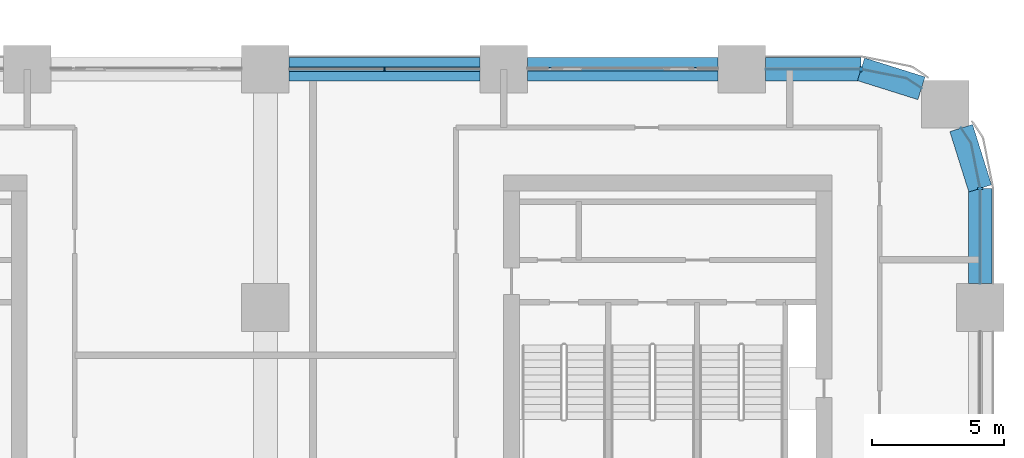
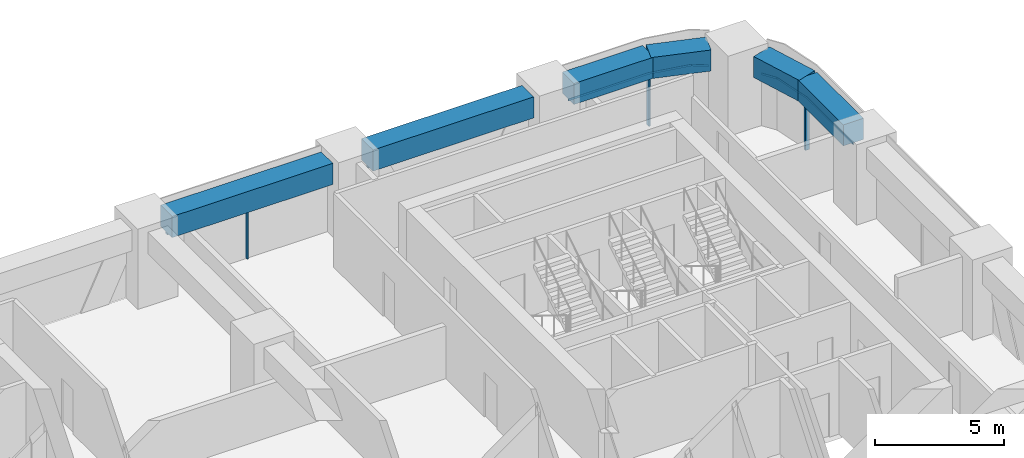
# One storey, part 9 of 23: 7 members, 6 beams, 4 elements without a shape of their own.
"""IFC4 building model written with IfcOpenShell, lengths in metres."""

from ifc_helpers import new_model, si_unit, direction, frame, origin, origin_2d, place, context, subcontext, project, spatial, polyline, rectangle, outline, extrude, material, material_profile, profile_set, type_object, element, aggregate, save


model = new_model("IFC4")

# Units and contexts
model_context = context("Model", 3, precision=1e-05, world=origin(), true_north=direction((0.0, 1.0)))
body_context = subcontext(model_context, "Body", "Model", "MODEL_VIEW")
ifc_project = project(units=[si_unit("LENGTHUNIT", "METRE"), si_unit("AREAUNIT", "SQUARE_METRE"), si_unit("VOLUMEUNIT", "CUBIC_METRE"), si_unit("PLANEANGLEUNIT", "RADIAN"), si_unit("MASSUNIT", "GRAM", prefix="KILO")], contexts=[model_context])

# Site, building, storey
site_placement = place(None, origin())
site = spatial("IfcSite", under=ifc_project, at=site_placement, CompositionType="ELEMENT")
building_placement = place(site_placement, origin())
building = spatial("IfcBuilding", under=site, at=building_placement, Name="Tessera Arch", CompositionType="ELEMENT")
storey_placement = place(building_placement, frame((0.0, 0.0, 57.60009765625)))
storey = spatial("IfcBuildingStorey", under=building, at=storey_placement, Name="L12", CompositionType="ELEMENT", Elevation=57.60009765625)

# Curtain wall, members
ifc_material_1 = material(Name="CW1 curtain wall")
curtain_wall_type_1 = type_object("IfcCurtainWallType", Name="CW1 curtain wall", PredefinedType="NOTDEFINED", material=ifc_material_1)
curtain_wall_1_placement = place(storey_placement, origin())
curtain_wall_1 = element("IfcCurtainWall", 1, at=curtain_wall_1_placement, inside=storey, type_object=curtain_wall_type_1, Name="CW1 curtain wall N54.0/2 L12", PredefinedType="NOTDEFINED")
ifc_material_2 = material(Name="Anodised aluminium pale metal", Category="aluminium")
ifc_material_profile_1 = material_profile(ifc_material_2, rectangle(XDim=0.159912109375, YDim=0.06005859375, at=origin_2d()), Name="AL 60x160")
ifc_profile_set_1 = profile_set([ifc_material_profile_1], Name="Anodised aluminium pale metal")
member_type_1 = type_object("IfcMemberType", Name="CW1 mullion", PredefinedType="MULLION", material=ifc_profile_set_1)
member_1_placement = place(storey_placement, frame((31.5, 54.0, 0.0), z_axis=(0.0, 0.0, 1.0), x_axis=(0.0, -1.0, 0.0)))
member_1 = element("IfcMember", 2, at=member_1_placement, type_object=member_type_1, Name="CW1 mullion N54.0/2 1", PredefinedType="MULLION", context=body_context, shape_type="SweptSolid", body=[
    extrude(rectangle(XDim=0.159912109375, YDim=0.06005859375, at=origin_2d()), origin(), (0.0, 0.0, 1.0), 2.39990234375),
])
ifc_material_3 = material(Name="Anodised aluminium pale metal", Category="aluminium")
ifc_material_profile_2 = material_profile(ifc_material_3, rectangle(XDim=0.159912109375, YDim=0.10009765625, at=origin_2d()), Name="AL 160x100")
ifc_profile_set_2 = profile_set([ifc_material_profile_2], Name="Anodised aluminium pale metal")
member_type_2 = type_object("IfcMemberType", Name="CW1 transom", PredefinedType="USERDEFINED", material=ifc_profile_set_2)
member_2_placement = place(storey_placement, frame((35.10009765625, 54.0, 2.449951171875), z_axis=(-1.0, 0.0, 0.0), x_axis=(0.0, -1.0, 0.0)))
member_2 = element("IfcMember", 3, at=member_2_placement, type_object=member_type_2, Name="CW1 transom N54.0/2 1.1", ObjectType="TRANSOM", PredefinedType="USERDEFINED", context=body_context, shape_type="SweptSolid", body=[
    extrude(rectangle(XDim=0.159912109375, YDim=0.10009765625, at=origin_2d()), origin(), (0.0, 0.0, 1.0), 7.2001953125),
])
aggregate(curtain_wall_1, [member_1, member_2])

# Curtain wall, member
ifc_material_4 = material(Name="CW2 curtain wall")
curtain_wall_type_2 = type_object("IfcCurtainWallType", Name="CW2 curtain wall", PredefinedType="NOTDEFINED", material=ifc_material_4)
curtain_wall_2_placement = place(storey_placement, origin())
curtain_wall_2 = element("IfcCurtainWall", 4, at=curtain_wall_2_placement, inside=storey, type_object=curtain_wall_type_2, Name="CW2 curtain wall E54.0/5 L12", PredefinedType="NOTDEFINED")
ifc_material_5 = material(Name="Anodised aluminium pale metal", Category="aluminium")
ifc_material_profile_3 = material_profile(ifc_material_5, rectangle(XDim=0.199951171875, YDim=0.080078125, at=origin_2d()), Name="AL 80x200")
ifc_profile_set_3 = profile_set([ifc_material_profile_3], Name="Anodised aluminium pale metal")
member_type_3 = type_object("IfcMemberType", Name="CW2 mullion", PredefinedType="MULLION", material=ifc_profile_set_3)
member_3_placement = place(storey_placement, frame((54.0, 49.5, 0.0), z_axis=(0.0, 0.0, 1.0), x_axis=(-1.0, 0.0, 0.0)))
member_3 = element("IfcMember", 5, at=member_3_placement, type_object=member_type_3, Name="CW2 mullion E54.0/5 1", PredefinedType="MULLION", context=body_context, shape_type="SweptSolid", body=[
    extrude(rectangle(XDim=0.199951171875, YDim=0.080078125, at=origin_2d()), origin(), (0.0, 0.0, 1.0), 2.39990234375),
])

curtain_wall_3_placement = place(storey_placement, origin())
curtain_wall_3 = element("IfcCurtainWall", 6, at=curtain_wall_3_placement, inside=storey, type_object=curtain_wall_type_2, Name="CW2 curtain wall N54.0/0 L12", PredefinedType="NOTDEFINED")
member_4_placement = place(storey_placement, frame((49.5, 54.0, 0.0), z_axis=(0.0, 0.0, 1.0), x_axis=(0.0, -1.0, 0.0)))
member_4 = element("IfcMember", 7, at=member_4_placement, type_object=member_type_3, Name="CW2 mullion N54.0/0 1", PredefinedType="MULLION", context=body_context, shape_type="SweptSolid", body=[
    extrude(rectangle(XDim=0.199951171875, YDim=0.080078125, at=origin_2d()), origin(), (0.0, 0.0, 1.0), 2.39990234375),
])

# Member
ifc_material_6 = material(Name="Anodised aluminium pale metal", Category="aluminium")
ifc_material_profile_4 = material_profile(ifc_material_6, rectangle(XDim=0.199951171875, YDim=0.10009765625, at=origin_2d()), Name="AL 200x100")
ifc_profile_set_4 = profile_set([ifc_material_profile_4], Name="Anodised aluminium pale metal")
member_type_4 = type_object("IfcMemberType", Name="CW2 transom", PredefinedType="USERDEFINED", material=ifc_profile_set_4)
member_5_placement = place(storey_placement, frame((0.0, 0.0, 2.39990234375)))
member_5 = element("IfcMember", 8, at=member_5_placement, type_object=member_type_4, Name="CW2 transom E54.0/5 1", ObjectType="TRANSOM", PredefinedType="USERDEFINED", context=body_context, shape_type="SweptSolid", body=[
    extrude(outline(polyline([(53.989990234375, 49.4990234375), (53.989990234375, 45.89990234375), (54.010009765625, 45.89990234375), (54.010009765625, 49.5009765625), (53.6669921875, 51.22607421875), (53.29150390625, 51.78759765625), (53.27490234375, 51.7763671875), (53.648193359375, 51.21826171875), (53.989990234375, 49.4990234375)])), origin(), (0.0, 0.0, 1.0), 0.10009765625),
])

aggregate(curtain_wall_2, [member_3, member_5])

member_6_placement = place(storey_placement, frame((0.0, 0.0, 2.39990234375)))
member_6 = element("IfcMember", 9, at=member_6_placement, type_object=member_type_4, Name="CW2 transom N54.0/0 1", ObjectType="TRANSOM", PredefinedType="USERDEFINED", context=body_context, shape_type="SweptSolid", body=[
    extrude(outline(polyline([(51.21826171875, 53.648193359375), (51.7763671875, 53.27490234375), (51.78759765625, 53.29150390625), (51.22607421875, 53.6669921875), (49.5009765625, 54.010009765625), (45.89990234375, 54.010009765625), (45.89990234375, 53.989990234375), (49.4990234375, 53.989990234375), (51.21826171875, 53.648193359375)])), origin(), (0.0, 0.0, 1.0), 0.10009765625),
])

aggregate(curtain_wall_3, [member_4, member_6])

# Curtain wall, member
ifc_material_7 = material(Name="CW3 curtain wall")
curtain_wall_type_3 = type_object("IfcCurtainWallType", Name="CW3 curtain wall", PredefinedType="NOTDEFINED", material=ifc_material_7)
curtain_wall_4_placement = place(storey_placement, origin())
curtain_wall_4 = element("IfcCurtainWall", 10, at=curtain_wall_4_placement, inside=storey, type_object=curtain_wall_type_3, Name="CW3 curtain wall N54.0/1 L12", PredefinedType="NOTDEFINED")
ifc_material_8 = material(Name="Anodised aluminium pale metal", Category="aluminium")
ifc_material_profile_5 = material_profile(ifc_material_8, rectangle(XDim=0.139892578125, YDim=0.10009765625, at=origin_2d()), Name="AL 140x100")
ifc_profile_set_5 = profile_set([ifc_material_profile_5], Name="Anodised aluminium pale metal")
member_type_5 = type_object("IfcMemberType", Name="CW3 transom", PredefinedType="USERDEFINED", material=ifc_profile_set_5)
member_7_placement = place(storey_placement, frame((44.10009765625, 54.0, 2.449951171875), z_axis=(-1.0, 0.0, 0.0), x_axis=(0.0, -1.0, 0.0)))
member_7 = element("IfcMember", 11, at=member_7_placement, type_object=member_type_5, Name="CW3 transom N54.0/1 1.1", ObjectType="TRANSOM", PredefinedType="USERDEFINED", context=body_context, shape_type="SweptSolid", body=[
    extrude(rectangle(XDim=0.139892578125, YDim=0.10009765625, at=origin_2d()), origin(), (0.0, 0.0, 1.0), 7.2001953125),
])
aggregate(curtain_wall_4, [member_7])

# Beams
ifc_material_9 = material(Name="Concrete C80/95", Category="concrete")
ifc_material_profile_6 = material_profile(ifc_material_9, rectangle(XDim=0.89990234375, YDim=1.0, at=origin_2d()), Name="RC spandrel beam 900 x 1000 Concrete C80/95")
ifc_profile_set_6 = profile_set([ifc_material_profile_6], Name="Concrete C80/95")
beam_type = type_object("IfcBeamType", Name="RC spandrel beam 900 x 1000 Concrete C80/95", PredefinedType="BEAM", material=ifc_profile_set_6)
beam_1_placement = place(storey_placement, frame((54.0, 45.89990234375, 3.0), z_axis=(0.0, 1.0, 0.0), x_axis=(-1.0, 0.0, 0.0)))
element("IfcBeam", 12, at=beam_1_placement, inside=storey, type_object=beam_type, Name="Spandrel beam L12 E54.0/5.1", PredefinedType="BEAM", context=body_context, shape_type="SweptSolid", body=[
    extrude(rectangle(XDim=0.89990234375, YDim=1.0, at=origin_2d()), origin(), (0.0, 0.0, 1.0), 3.60009765625),
])
for number, where, z_axis, x_axis, name in (
    (13, (54.0, 49.5, 3.0), (-0.299675309057, 0.954041251279, 0.0), (-0.954041251279, -0.299675309057, 0.0), "Spandrel beam L12 E54.0/5.2"),
    (14, (51.781982421875, 53.283203125, 3.0), (-0.954041251279, 0.299675309057, 0.0), (-0.299675309057, -0.954041251279, 0.0), "Spandrel beam L12 N54.0/0.1"),
):
    element("IfcBeam", number, at=place(storey_placement, frame(where, z_axis=z_axis, x_axis=x_axis)), inside=storey, type_object=beam_type, Name=name, PredefinedType="BEAM", context=body_context, shape_type="SweptSolid", body=[
        extrude(rectangle(XDim=0.89990234375, YDim=1.0, at=origin_2d()), origin(), (0.0, 0.0, 1.0), 2.391845703125),
    ])
beam_2_placement = place(storey_placement, frame((49.5, 54.0, 3.0), z_axis=(-1.0, 0.0, 0.0), x_axis=(0.0, -1.0, 0.0)))
element("IfcBeam", 15, at=beam_2_placement, inside=storey, type_object=beam_type, Name="Spandrel beam L12 N54.0/0.2", PredefinedType="BEAM", context=body_context, shape_type="SweptSolid", body=[
    extrude(rectangle(XDim=0.89990234375, YDim=1.0, at=origin_2d()), origin(), (0.0, 0.0, 1.0), 3.60009765625),
])
for number, where, z_axis, x_axis, name in (
    (16, (44.10009765625, 54.0, 3.0), (-1.0, 0.0, 0.0), (0.0, -1.0, 0.0), "Spandrel beam L12 N54.0/1"),
    (17, (35.10009765625, 54.0, 3.0), (-1.0, 0.0, 0.0), (0.0, -1.0, 0.0), "Spandrel beam L12 N54.0/2"),
):
    element("IfcBeam", number, at=place(storey_placement, frame(where, z_axis=z_axis, x_axis=x_axis)), inside=storey, type_object=beam_type, Name=name, PredefinedType="BEAM", context=body_context, shape_type="SweptSolid", body=[
        extrude(rectangle(XDim=0.89990234375, YDim=1.0, at=origin_2d()), origin(), (0.0, 0.0, 1.0), 7.2001953125),
    ])

save(model, "model.ifc")
